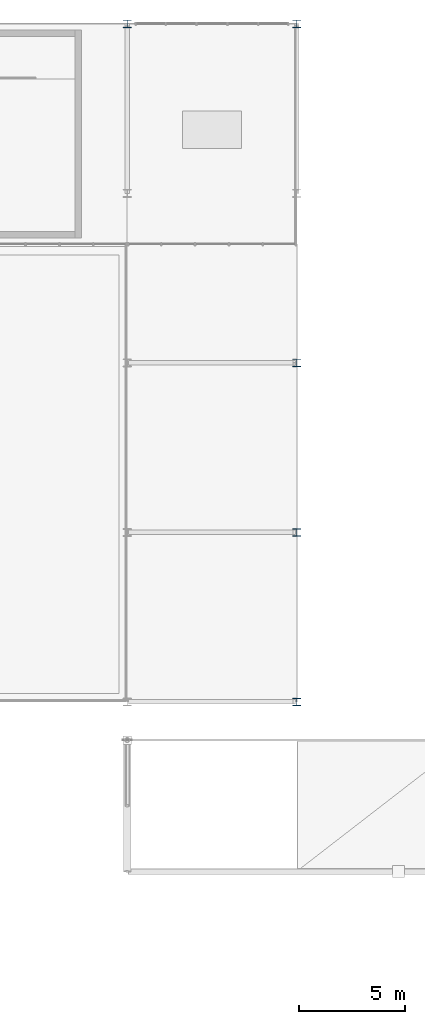
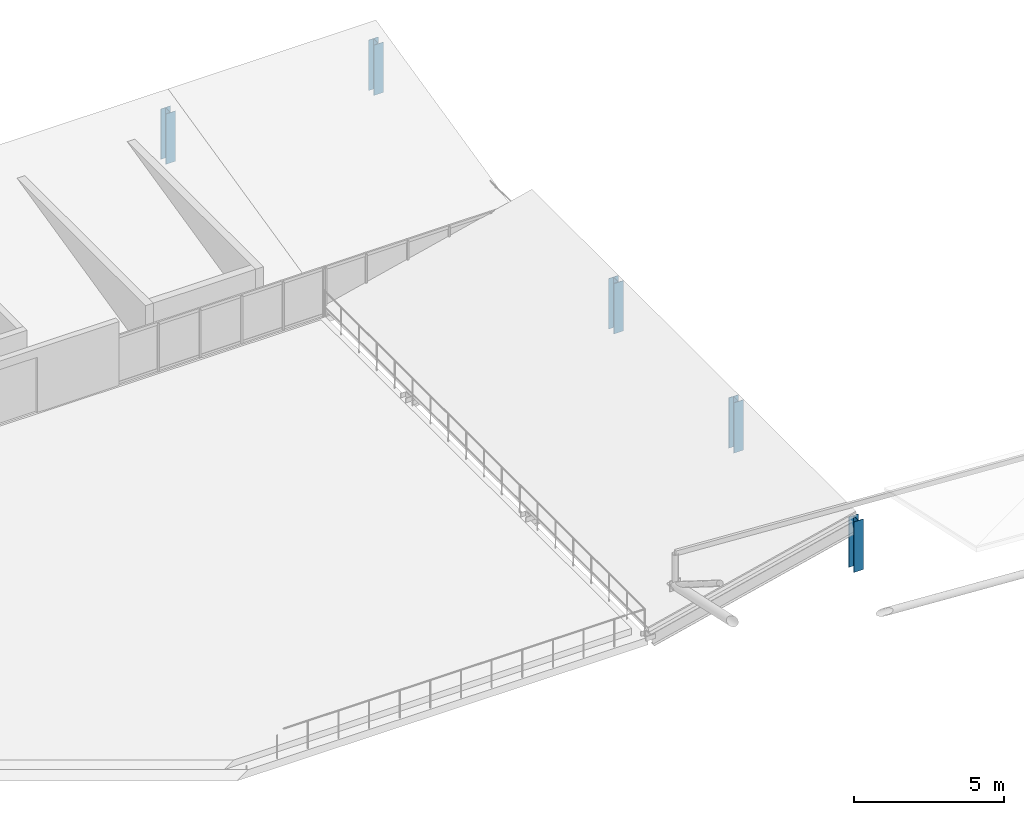
# One storey, part 11 of 83: 5 columns.
"""IFC4 building model written with IfcOpenShell, lengths in metres."""

from ifc_helpers import new_model, si_unit, direction, frame, origin, origin_2d, place, context, subcontext, project, spatial, i_section, extrude, material, material_profile, profile_set, type_object, element, save


model = new_model("IFC4")

# Units and contexts
model_context = context("Model", 3, precision=1e-05, world=origin(), true_north=direction((0.0, 1.0)))
body_context = subcontext(model_context, "Body", "Model", "MODEL_VIEW")
ifc_project = project(units=[si_unit("LENGTHUNIT", "METRE"), si_unit("AREAUNIT", "SQUARE_METRE"), si_unit("VOLUMEUNIT", "CUBIC_METRE"), si_unit("PLANEANGLEUNIT", "RADIAN"), si_unit("MASSUNIT", "GRAM", prefix="KILO")], contexts=[model_context])

# Site, building, storey
site_placement = place(None, origin())
site = spatial("IfcSite", under=ifc_project, at=site_placement, CompositionType="ELEMENT")
building_placement = place(site_placement, origin())
building = spatial("IfcBuilding", under=site, at=building_placement, Name="Drelvath Fold Interchange", CompositionType="ELEMENT")
storey_placement = place(building_placement, frame((0.0, 0.0, 11.199951171875)))
storey = spatial("IfcBuildingStorey", under=building, at=storey_placement, Name="L02", CompositionType="ELEMENT", Elevation=11.199951171875)

# Columns
ifc_material = material(Name="Steel ASTM A992 Grade 50", Category="steel")
ifc_material_profile = material_profile(ifc_material, i_section(OverallWidth=0.368896484375, OverallDepth=0.35595703125, WebThickness=0.01123046875, FlangeThickness=0.01806640625, at=origin_2d()), Name="W14X90")
ifc_profile_set = profile_set([ifc_material_profile], Name="Steel ASTM A992 Grade 50")
column_type = type_object("IfcColumnType", Name="COL-W14X90", PredefinedType="COLUMN", material=ifc_profile_set)
for number, where, z_axis, x_axis, name in (
    (1, (134.0, 107.0, 0.0), (0.0, 0.0, 1.0), (1.0, 0.0, 0.0), "L02 column (134,107)"),
    (2, (142.0, 107.0, 0.0), (0.0, 0.0, 1.0), (1.0, 0.0, 0.0), "L02 column (142,107)"),
    (3, (142.0, 75.0, 0.0), (0.0, 0.0, 1.0), (1.0, 0.0, 0.0), "L02 east sawtooth column (142,75)"),
    (4, (142.0, 83.0, 0.0), (0.0, 0.0, 1.0), (1.0, 0.0, 0.0), "L02 east sawtooth column (142,83)"),
    (5, (142.0, 91.0, 0.0), (0.0, 0.0, 1.0), (1.0, 0.0, 0.0), "L02 east sawtooth column (142,91)"),
):
    element("IfcColumn", number, at=place(storey_placement, frame(where, z_axis=z_axis, x_axis=x_axis)), inside=storey, type_object=column_type, Name=name, PredefinedType="COLUMN", context=body_context, shape_type="SweptSolid", body=[
        extrude(i_section(OverallWidth=0.368896484375, OverallDepth=0.35595703125, WebThickness=0.01123046875, FlangeThickness=0.01806640625, at=origin_2d()), origin(), (0.0, 0.0, 1.0), 2.050048828125),
    ])

save(model, "model.ifc")
